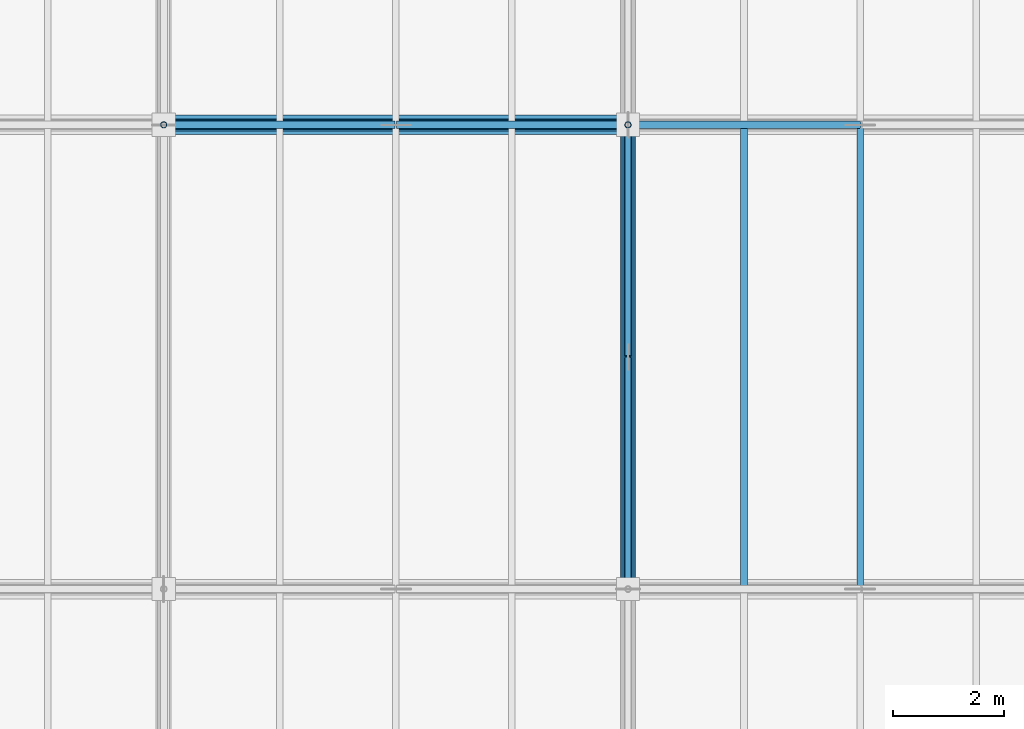
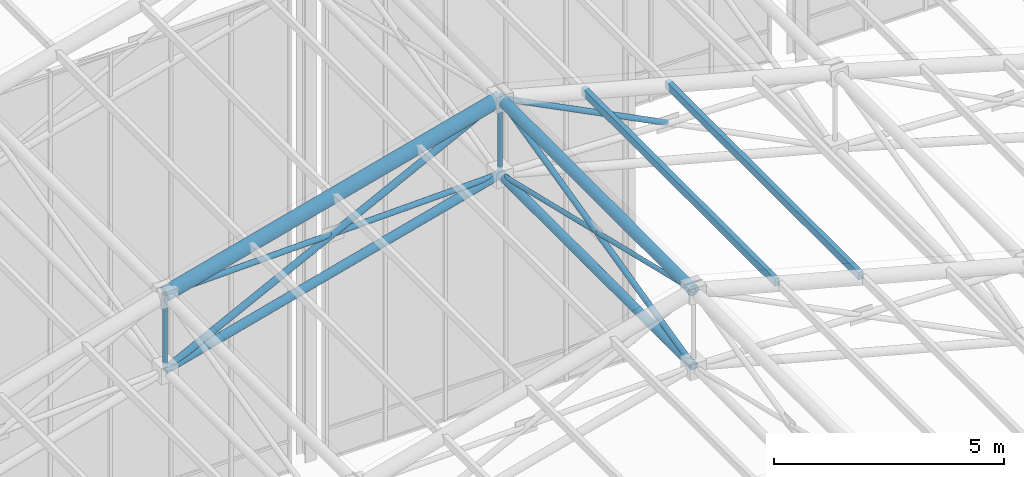
# One storey, part 55 of 144: 15 members.
"""IFC4 building model written with IfcOpenShell, lengths in metres."""

from ifc_helpers import new_model, si_unit, direction, frame, origin, origin_2d, place, context, subcontext, project, spatial, hollow_rectangle, hollow_circle, extrude, material, material_profile, profile_set, type_object, element, save


model = new_model("IFC4")

# Units and contexts
model_context = context("Model", 3, precision=1e-05, world=origin(), true_north=direction((0.0, 1.0)))
body_context = subcontext(model_context, "Body", "Model", "MODEL_VIEW")
ifc_project = project(units=[si_unit("LENGTHUNIT", "METRE"), si_unit("AREAUNIT", "SQUARE_METRE"), si_unit("VOLUMEUNIT", "CUBIC_METRE"), si_unit("PLANEANGLEUNIT", "RADIAN"), si_unit("MASSUNIT", "GRAM", prefix="KILO")], contexts=[model_context])

# Site, building, storey
site_placement = place(None, origin())
site = spatial("IfcSite", under=ifc_project, at=site_placement, CompositionType="ELEMENT")
building_placement = place(site_placement, origin())
building = spatial("IfcBuilding", under=site, at=building_placement, Name="Zayran Congress Hotel", CompositionType="ELEMENT")
storey_placement = place(building_placement, frame((0.0, 0.0, 19.199951171875)))
storey = spatial("IfcBuildingStorey", under=building, at=storey_placement, Name="L04", CompositionType="ELEMENT", Elevation=19.199951171875)

# Members
ifc_material = material(Name="Steel S355", Category="steel")
ifc_material_profile_1 = material_profile(ifc_material, hollow_circle(Radius=0.177734375, WallThickness=0.01611328125, at=origin_2d()), Name="CHS 355.6x16")
ifc_profile_set_1 = profile_set([ifc_material_profile_1], Name="Steel S355")
member_type_1 = type_object("IfcMemberType", Name="TP-SF-TC1", PredefinedType="CHORD", material=ifc_profile_set_1)
member_1_placement = place(storey_placement, frame((42.0, 101.199951171875, 12.35205078125), z_axis=(0.965947299715, 0.0, 0.258738891884), x_axis=(0.0, 1.0, 0.0)))
element("IfcMember", 1, at=member_1_placement, inside=storey, type_object=member_type_1, Name="Space Frame Top Chord X 251", PredefinedType="CHORD", context=body_context, shape_type="SweptSolid", body=[
    extrude(hollow_circle(Radius=0.177734375, WallThickness=0.01611328125, at=origin_2d()), origin(), (0.0, 0.0, 1.0), 8.696044921875),
])
ifc_material_profile_2 = material_profile(ifc_material, hollow_circle(Radius=0.136474609375, WallThickness=0.012451171875, at=origin_2d()), Name="CHS 273x12.5")
ifc_profile_set_2 = profile_set([ifc_material_profile_2], Name="Steel S355")
member_type_2 = type_object("IfcMemberType", Name="TP-SF-TC2", PredefinedType="CHORD", material=ifc_profile_set_2)
member_2_placement = place(storey_placement, frame((50.39990234375, 92.800048828125, 14.60205078125), z_axis=(0.0, 1.0, 0.0), x_axis=(-1.0, 0.0, 0.0)))
element("IfcMember", 2, at=member_2_placement, inside=storey, type_object=member_type_2, Name="Space Frame Top Chord Y 303", PredefinedType="CHORD", context=body_context, shape_type="SweptSolid", body=[
    extrude(hollow_circle(Radius=0.136474609375, WallThickness=0.012451171875, at=origin_2d()), origin(), (0.0, 0.0, 1.0), 8.39990234375),
])
ifc_material_profile_3 = material_profile(ifc_material, hollow_circle(Radius=0.109619140625, WallThickness=0.010009765625, at=origin_2d()), Name="CHS 219.1x10")
ifc_profile_set_3 = profile_set([ifc_material_profile_3], Name="Steel S355")
member_type_3 = type_object("IfcMemberType", Name="TP-SF-BC1", PredefinedType="CHORD", material=ifc_profile_set_3)
member_3_placement = place(storey_placement, frame((42.0, 101.199951171875, 10.35009765625), z_axis=(0.965947299715, 0.0, 0.258738891884), x_axis=(0.0, 1.0, 0.0)))
element("IfcMember", 3, at=member_3_placement, inside=storey, type_object=member_type_3, Name="Space Frame Bottom Chord X 252", PredefinedType="CHORD", context=body_context, shape_type="SweptSolid", body=[
    extrude(hollow_circle(Radius=0.109619140625, WallThickness=0.010009765625, at=origin_2d()), origin(), (0.0, 0.0, 1.0), 8.696044921875),
])
member_4_placement = place(storey_placement, frame((50.39990234375, 92.800048828125, 12.60009765625), z_axis=(0.0, 1.0, 0.0), x_axis=(-1.0, 0.0, 0.0)))
element("IfcMember", 4, at=member_4_placement, inside=storey, type_object=member_type_3, Name="Space Frame Bottom Chord Y 304", PredefinedType="CHORD", context=body_context, shape_type="SweptSolid", body=[
    extrude(hollow_circle(Radius=0.109619140625, WallThickness=0.010009765625, at=origin_2d()), origin(), (0.0, 0.0, 1.0), 8.39990234375),
])
ifc_material_profile_4 = material_profile(ifc_material, hollow_circle(Radius=0.084228515625, WallThickness=0.008056640625, at=origin_2d()), Name="CHS 168.3x8")
ifc_profile_set_4 = profile_set([ifc_material_profile_4], Name="Steel S355")
member_type_4 = type_object("IfcMemberType", Name="TP-SF-DG1", PredefinedType="BRACE", material=ifc_profile_set_4)
member_5_placement = place(storey_placement, frame((42.0, 101.199951171875, 10.35009765625), z_axis=(0.892206892975, 0.0, 0.451626903681), x_axis=(0.0, 1.0, 0.0)))
element("IfcMember", 5, at=member_5_placement, inside=storey, type_object=member_type_4, Name="Space Frame Web Diagonal X 253", PredefinedType="BRACE", context=body_context, shape_type="SweptSolid", body=[
    extrude(hollow_circle(Radius=0.084228515625, WallThickness=0.008056640625, at=origin_2d()), origin(), (0.0, 0.0, 1.0), 9.414794921875),
])
ifc_material_profile_5 = material_profile(ifc_material, hollow_circle(Radius=0.06982421875, WallThickness=0.00634765625, at=origin_2d()), Name="CHS 139.7x6.3")
ifc_profile_set_5 = profile_set([ifc_material_profile_5], Name="Steel S355")
member_type_5 = type_object("IfcMemberType", Name="TP-SF-DG2", PredefinedType="BRACE", material=ifc_profile_set_5)
member_6_placement = place(storey_placement, frame((42.0, 101.199951171875, 12.35205078125), z_axis=(0.999564624123, 0.0, 0.029505291087), x_axis=(0.0, 1.0, 0.0)))
element("IfcMember", 6, at=member_6_placement, inside=storey, type_object=member_type_5, Name="Space Frame Counter Diagonal X Upper 254", PredefinedType="BRACE", context=body_context, shape_type="SweptSolid", body=[
    extrude(hollow_circle(Radius=0.06982421875, WallThickness=0.00634765625, at=origin_2d()), origin(), (0.0, 0.0, 1.0), 4.186767578125),
])
member_7_placement = place(storey_placement, frame((46.215087890625, 101.199951171875, 12.4765625), z_axis=(0.999564573355, 0.0, 0.029507010916), x_axis=(0.0, 1.0, 0.0)))
element("IfcMember", 7, at=member_7_placement, inside=storey, type_object=member_type_5, Name="Space Frame Counter Diagonal X Lower 39", PredefinedType="BRACE", context=body_context, shape_type="SweptSolid", body=[
    extrude(hollow_circle(Radius=0.06982421875, WallThickness=0.00634765625, at=origin_2d()), origin(), (0.0, 0.0, 1.0), 4.1865234375),
])
member_8_placement = place(storey_placement, frame((50.39990234375, 92.800048828125, 12.60009765625), z_axis=(0.0, 0.97275461998, 0.231837118056), x_axis=(-1.0, 0.0, 0.0)))
element("IfcMember", 8, at=member_8_placement, inside=storey, type_object=member_type_5, Name="Space Frame Web Diagonal Y 305", PredefinedType="BRACE", context=body_context, shape_type="SweptSolid", body=[
    extrude(hollow_circle(Radius=0.06982421875, WallThickness=0.00634765625, at=origin_2d()), origin(), (0.0, 0.0, 1.0), 8.63525390625),
])
member_9_placement = place(storey_placement, frame((50.39990234375, 101.199951171875, 14.60205078125), z_axis=(0.892220848392, 0.0, -0.451599333142), x_axis=(0.0, 1.0, 0.0)))
element("IfcMember", 9, at=member_9_placement, inside=storey, type_object=member_type_5, Name="Space Frame Counter Diagonal X Upper 311", PredefinedType="BRACE", context=body_context, shape_type="SweptSolid", body=[
    extrude(hollow_circle(Radius=0.06982421875, WallThickness=0.00634765625, at=origin_2d()), origin(), (0.0, 0.0, 1.0), 4.692626953125),
])
ifc_material_profile_6 = material_profile(ifc_material, hollow_circle(Radius=0.05712890625, WallThickness=0.00634765625, at=origin_2d()), Name="CHS 114.3x6.3")
ifc_profile_set_6 = profile_set([ifc_material_profile_6], Name="Steel S355")
member_type_6 = type_object("IfcMemberType", Name="TP-SF-DG3", PredefinedType="BRACE", material=ifc_profile_set_6)
member_10_placement = place(storey_placement, frame((42.0, 101.199951171875, 10.35009765625), z_axis=(0.0, 0.0, 1.0), x_axis=(0.0, 1.0, 0.0)))
element("IfcMember", 10, at=member_10_placement, inside=storey, type_object=member_type_6, Name="Space Frame Web Strut 258", PredefinedType="BRACE", context=body_context, shape_type="SweptSolid", body=[
    extrude(hollow_circle(Radius=0.05712890625, WallThickness=0.00634765625, at=origin_2d()), origin(), (0.0, 0.0, 1.0), 2.001953125),
])
for number, where, z_axis, x_axis, name in (
    (11, (50.39990234375, 92.800048828125, 14.60205078125), (0.0, 0.972750782967, -0.23185321701), (-1.0, 0.0, 0.0), "Space Frame Bracing Diagonal Y Upper 306"),
    (12, (50.39990234375, 97.0146484375, 13.59765625), (0.0, 0.972750782967, -0.23185321701), (-1.0, 0.0, 0.0), "Space Frame Bracing Diagonal Y Lower 49"),
):
    element("IfcMember", number, at=place(storey_placement, frame(where, z_axis=z_axis, x_axis=x_axis)), inside=storey, type_object=member_type_6, Name=name, PredefinedType="BRACE", context=body_context, shape_type="SweptSolid", body=[
        extrude(hollow_circle(Radius=0.05712890625, WallThickness=0.00634765625, at=origin_2d()), origin(), (0.0, 0.0, 1.0), 4.302490234375),
    ])
member_11_placement = place(storey_placement, frame((50.39990234375, 101.199951171875, 12.60009765625), z_axis=(0.0, 0.0, 1.0), x_axis=(0.0, 1.0, 0.0)))
element("IfcMember", 13, at=member_11_placement, inside=storey, type_object=member_type_6, Name="Space Frame Web Strut 316", PredefinedType="BRACE", context=body_context, shape_type="SweptSolid", body=[
    extrude(hollow_circle(Radius=0.05712890625, WallThickness=0.00634765625, at=origin_2d()), origin(), (0.0, 0.0, 1.0), 2.001953125),
])
ifc_material_profile_7 = material_profile(ifc_material, hollow_rectangle(XDim=0.1201171875, YDim=0.199951171875, WallThickness=0.008056640625, at=origin_2d()), Name="RHS 200x120x8")
ifc_profile_set_7 = profile_set([ifc_material_profile_7], Name="Steel S355")
member_type_7 = type_object("IfcMemberType", Name="TP-PR-01", PredefinedType="PURLIN", material=ifc_profile_set_7)
for number, where, z_axis, x_axis, name in (
    (14, (52.5, 92.800048828125, 14.08154296875), (0.0, 1.0, 0.0), (-1.0, 0.0, 0.0), "MEM-PR-V1-0094"),
    (15, (54.60009765625, 92.800048828125, 13.51904296875), (0.0, 1.0, 0.0), (-1.0, 0.0, 0.0), "MEM-PR-V1-0100"),
):
    element("IfcMember", number, at=place(storey_placement, frame(where, z_axis=z_axis, x_axis=x_axis)), inside=storey, type_object=member_type_7, Name=name, PredefinedType="PURLIN", context=body_context, shape_type="SweptSolid", body=[
        extrude(hollow_rectangle(XDim=0.1201171875, YDim=0.199951171875, WallThickness=0.008056640625, at=origin_2d()), origin(), (0.0, 0.0, 1.0), 8.39990234375),
    ])

save(model, "model.ifc")
